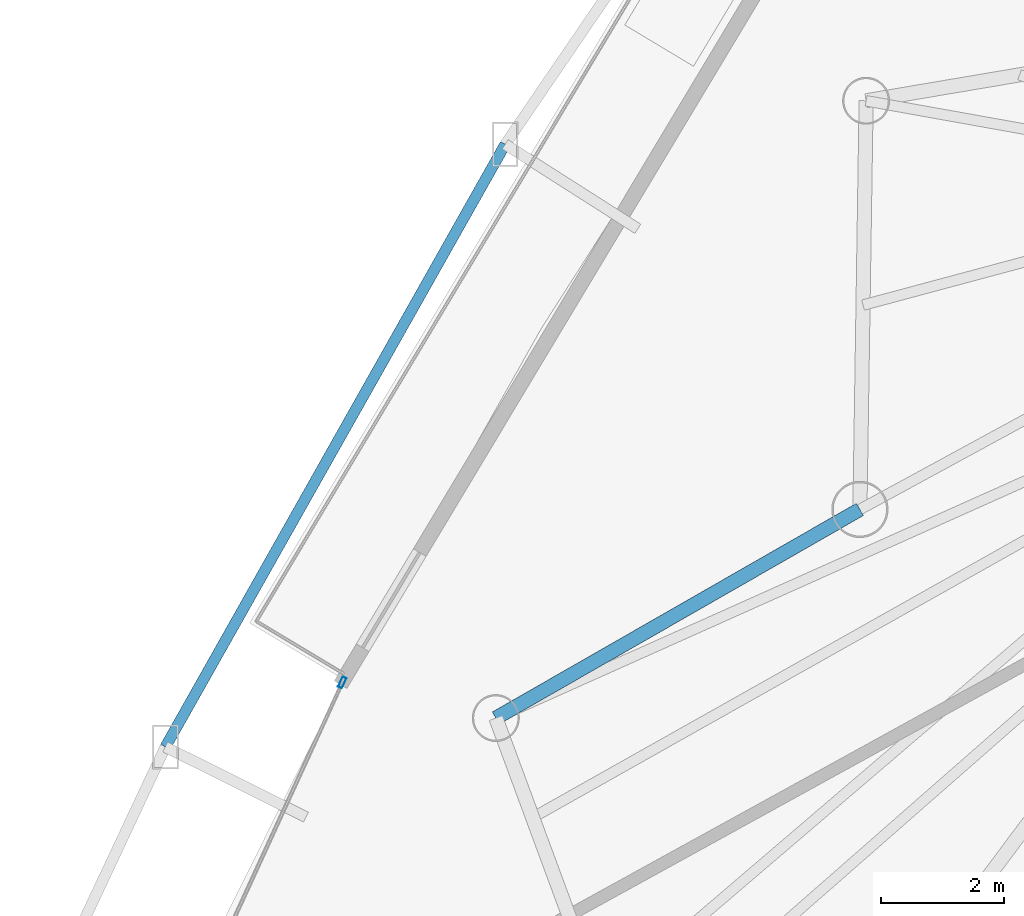
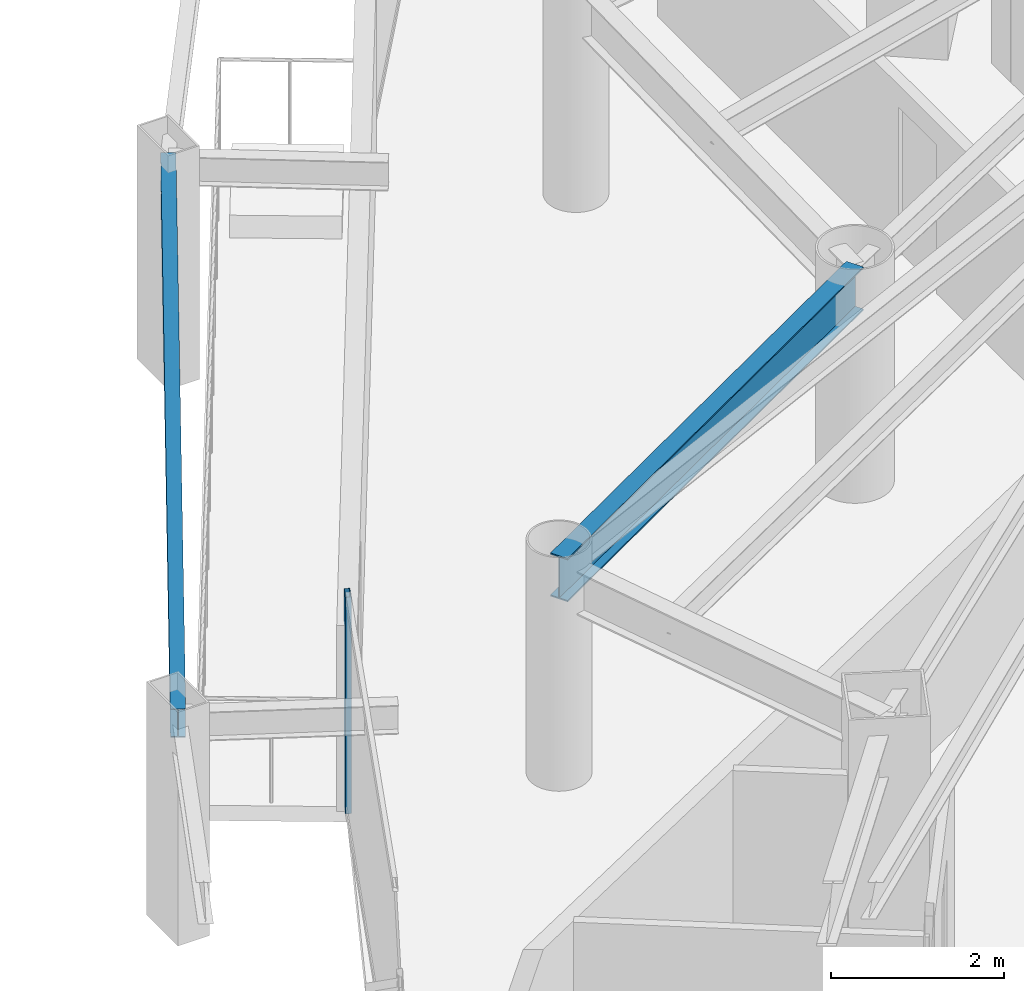
# One storey, part 11 of 35: 2 beams, 1 member, 1 element without a shape of its own.
"""IFC4 building model written with IfcOpenShell, lengths in metres."""

from ifc_helpers import new_model, si_unit, direction, frame, origin, origin_2d, place, context, subcontext, project, spatial, hollow_rectangle, i_section, extrude, material, layer, layer_set, material_profile, profile_set, type_object, element, aggregate, save


model = new_model("IFC4")

# Units and contexts
model_context = context("Model", 3, precision=1e-05, world=origin(), true_north=direction((0.0, 1.0)))
body_context = subcontext(model_context, "Body", "Model", "MODEL_VIEW")
ifc_project = project(units=[si_unit("LENGTHUNIT", "METRE"), si_unit("AREAUNIT", "SQUARE_METRE"), si_unit("VOLUMEUNIT", "CUBIC_METRE"), si_unit("PLANEANGLEUNIT", "RADIAN"), si_unit("MASSUNIT", "GRAM", prefix="KILO")], contexts=[model_context])

# Site, building, storey
site_placement = place(None, origin())
site = spatial("IfcSite", under=ifc_project, at=site_placement, CompositionType="ELEMENT")
building_placement = place(site_placement, origin())
building = spatial("IfcBuilding", under=site, at=building_placement, Name="Orvanel Arch Residences", CompositionType="ELEMENT")
storey_placement = place(building_placement, frame((0.0, 0.0, 26.89990234375)))
storey = spatial("IfcBuildingStorey", under=building, at=storey_placement, Name="L06", CompositionType="ELEMENT", Elevation=26.89990234375)

# Curtain wall, member
ifc_material_1 = material(Name="Bronze-anodised aluminium AA6063-T6", Category="aluminium")
ifc_layer = layer(ifc_material_1, 0.179931640625)
ifc_layer_set = layer_set([ifc_layer], Name="Bronze-anodised aluminium AA6063-T6")
curtain_wall_type = type_object("IfcCurtainWallType", Name="CW2-LOW-SYS", PredefinedType="NOTDEFINED", material=ifc_layer_set)
curtain_wall_placement = place(storey_placement, origin())
curtain_wall = element("IfcCurtainWall", 1, at=curtain_wall_placement, inside=storey, type_object=curtain_wall_type, Name="L06 CW2-LOW-SYS Unitised Curtain Wall", PredefinedType="NOTDEFINED")
ifc_material_profile_1 = material_profile(ifc_material_1, hollow_rectangle(XDim=0.070068359375, YDim=0.179931640625, WallThickness=0.00439453125, at=origin_2d()), Name="ALU180x70x4.5")
ifc_profile_set_1 = profile_set([ifc_material_profile_1], Name="Bronze-anodised aluminium AA6063-T6")
member_type = type_object("IfcMemberType", Name="MUL-180x70", PredefinedType="MULLION", material=ifc_profile_set_1)
member_placement = place(storey_placement, frame((12.17041015625, 24.833251953125, 0.0), z_axis=(0.0, 0.0, 1.0), x_axis=(0.909015042916, -0.416763304229, 0.0)))
member = element("IfcMember", 2, at=member_placement, type_object=member_type, Name="CW-S2 mullion 1", PredefinedType="MULLION", context=body_context, shape_type="SweptSolid", body=[
    extrude(hollow_rectangle(XDim=0.070068359375, YDim=0.179931640625, WallThickness=0.00439453125, at=origin_2d()), origin(), (0.0, 0.0, 1.0), 3.06005859375),
])
aggregate(curtain_wall, [member])

# Beams
ifc_material_2 = material(Name="Structural steel AS/NZS 3679.1 Grade 300 (300 MPa)", Category="steel")
ifc_material_profile_2 = material_profile(ifc_material_2, i_section(OverallWidth=0.177978515625, OverallDepth=0.406005859375, WebThickness=0.0078125, FlangeThickness=0.0126953125, at=origin_2d()), Name="410UB59.7")
ifc_profile_set_2 = profile_set([ifc_material_profile_2], Name="Structural steel AS/NZS 3679.1 Grade 300 (300 MPa)")
beam_type_1 = type_object("IfcBeamType", Name="OB-410UB-EXT", PredefinedType="SPANDREL", material=ifc_profile_set_2)
beam_1_placement = place(storey_placement, frame((14.81494140625, 33.56494140625, 2.857177734375), z_axis=(-0.491266615184, -0.871009249552, 0.0), x_axis=(0.871009249552, -0.491266615184, 0.0)))
element("IfcBeam", 3, at=beam_1_placement, inside=storey, type_object=beam_type_1, Name="L06 Outer Perimeter Floor Ring Beam 02", PredefinedType="SPANDREL", context=body_context, shape_type="SweptSolid", body=[
    extrude(i_section(OverallWidth=0.177978515625, OverallDepth=0.406005859375, WebThickness=0.0078125, FlangeThickness=0.0126953125, at=origin_2d()), origin(), (0.0, 0.0, 1.0), 11.225830078125),
])
ifc_material_profile_3 = material_profile(ifc_material_2, i_section(OverallWidth=0.22900390625, OverallDepth=0.612060546875, WebThickness=0.011962890625, FlangeThickness=0.01953125, at=origin_2d()), Name="610UB125")
ifc_profile_set_3 = profile_set([ifc_material_profile_3], Name="Structural steel AS/NZS 3679.1 Grade 300 (300 MPa)")
beam_type_2 = type_object("IfcBeamType", Name="SP-610UB", PredefinedType="SPANDREL", material=ifc_profile_set_3)
beam_2_placement = place(storey_placement, frame((20.569091796875, 27.64111328125, 2.754150390625), z_axis=(-0.867635629025, -0.497200578485, 0.0), x_axis=(0.497200578485, -0.867635629025, 0.0)))
element("IfcBeam", 4, at=beam_2_placement, inside=storey, type_object=beam_type_2, Name="L06 Perimeter Spandrel Beam 21", PredefinedType="SPANDREL", context=body_context, shape_type="SweptSolid", body=[
    extrude(i_section(OverallWidth=0.22900390625, OverallDepth=0.612060546875, WebThickness=0.011962890625, FlangeThickness=0.01953125, at=origin_2d()), origin(), (0.0, 0.0, 1.0), 6.80810546875),
])

save(model, "model.ifc")
